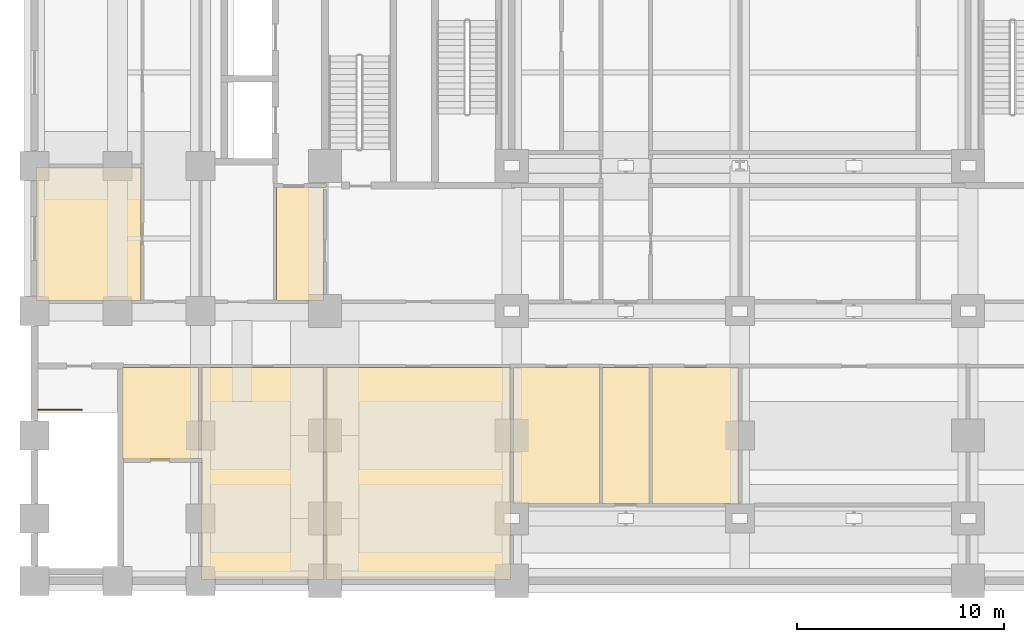
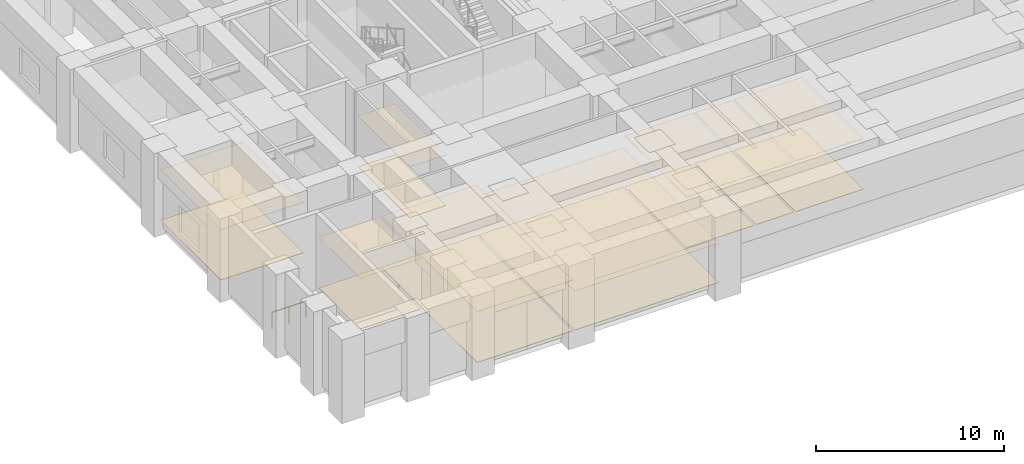
# One storey, part 16 of 22: 16 coverings, 1 railing.
"""IFC4 building model written with IfcOpenShell, lengths in metres."""

from ifc_helpers import new_model, si_unit, direction, frame, origin, origin_2d, place, context, subcontext, project, spatial, polyline, rectangle, outline, extrude, material, layer, layer_set, type_object, element, save


model = new_model("IFC4")

# Units and contexts
model_context = context("Model", 3, precision=1e-05, world=origin(), true_north=direction((0.0, 1.0)))
body_context = subcontext(model_context, "Body", "Model", "MODEL_VIEW")
ifc_project = project(units=[si_unit("LENGTHUNIT", "METRE"), si_unit("AREAUNIT", "SQUARE_METRE"), si_unit("VOLUMEUNIT", "CUBIC_METRE"), si_unit("PLANEANGLEUNIT", "RADIAN"), si_unit("MASSUNIT", "GRAM", prefix="KILO")], contexts=[model_context])

# Site, building, storey
site_placement = place(None, origin())
site = spatial("IfcSite", under=ifc_project, at=site_placement, CompositionType="ELEMENT")
building_placement = place(site_placement, origin())
building = spatial("IfcBuilding", under=site, at=building_placement, Name="Zulmaris Gate Convention Tower", CompositionType="ELEMENT")
storey_placement = place(building_placement, frame((0.0, 0.0, 21.760009765625)))
storey = spatial("IfcBuildingStorey", under=building, at=storey_placement, Name="L04", CompositionType="ELEMENT", Elevation=21.760009765625)

# Coverings
ifc_material_1 = material(Name="Mineral Fibre Acoustic Ceiling Tile")
ifc_layer_1 = layer(ifc_material_1, 0.02001953125, Name="Mineral Fibre Acoustic Ceiling Tile")
ifc_layer_set_1 = layer_set([ifc_layer_1], Name="Mineral Fibre Acoustic Ceiling Tile")
covering_type_1 = type_object("IfcCoveringType", Name="CLG-ACOUSTIC-600", PredefinedType="CEILING", material=ifc_layer_set_1)
covering_1_placement = place(storey_placement, frame((0.0, 0.0, 3.300048828125)))
element("IfcCovering", 1, at=covering_1_placement, inside=storey, type_object=covering_type_1, Name="CLG-L04-R46", PredefinedType="CEILING", context=body_context, shape_type="SweptSolid", body=[
    extrude(outline(polyline([(-22.340087890625, -15.489990234375), (-20.06005859375, -15.489990234375), (-20.06005859375, -10.010009765625), (-22.340087890625, -10.010009765625), (-22.340087890625, -15.489990234375)])), origin(), (0.0, 0.0, 1.0), 0.02001953125),
])
covering_2_placement = place(storey_placement, frame((0.0, 0.0, 3.300048828125)))
element("IfcCovering", 2, at=covering_2_placement, inside=storey, type_object=covering_type_1, Name="CLG-L04-R69", PredefinedType="CEILING", context=body_context, shape_type="SweptSolid", body=[
    extrude(outline(polyline([(-33.93994140625, -15.489990234375), (-28.860107421875, -15.489990234375), (-28.860107421875, -9.06005859375), (-33.93994140625, -9.06005859375), (-33.93994140625, -15.489990234375)])), origin(), (0.0, 0.0, 1.0), 0.02001953125),
])
covering_3_placement = place(storey_placement, frame((0.0, 0.0, 3.300048828125)))
element("IfcCovering", 3, at=covering_3_placement, inside=storey, type_object=covering_type_1, Name="CLG-L04-R81", PredefinedType="CEILING", context=body_context, shape_type="SweptSolid", body=[
    extrude(outline(polyline([(-29.7900390625, -23.139892578125), (-26.06005859375, -23.139892578125), (-26.06005859375, -18.7099609375), (-29.7900390625, -18.7099609375), (-29.7900390625, -23.139892578125)])), origin(), (0.0, 0.0, 1.0), 0.02001953125),
])
covering_4_placement = place(storey_placement, frame((0.0, 0.0, 3.300048828125)))
element("IfcCovering", 4, at=covering_4_placement, inside=storey, type_object=covering_type_1, Name="CLG-L04-R82", PredefinedType="CEILING", context=body_context, shape_type="SweptSolid", body=[
    extrude(outline(polyline([(-25.93994140625, -28.93994140625), (-20.06005859375, -28.93994140625), (-20.06005859375, -18.7099609375), (-25.93994140625, -18.7099609375), (-25.93994140625, -28.93994140625)])), origin(), (0.0, 0.0, 1.0), 0.02001953125),
])
covering_5_placement = place(storey_placement, frame((0.0, 0.0, 2.550048828125)))
element("IfcCovering", 5, at=covering_5_placement, inside=storey, type_object=covering_type_1, Name="CLG-L04-R83", PredefinedType="CEILING", context=body_context, shape_type="SweptSolid", body=[
    extrude(outline(polyline([(-19.93994140625, -28.93994140625), (-11.06005859375, -28.93994140625), (-11.06005859375, -18.7099609375), (-19.93994140625, -18.7099609375), (-19.93994140625, -28.93994140625)])), origin(), (0.0, 0.0, 1.0), 0.02001953125),
])
covering_6_placement = place(storey_placement, frame((0.0, 0.0, 3.300048828125)))
element("IfcCovering", 6, at=covering_6_placement, inside=storey, type_object=covering_type_1, Name="CLG-L04-R87", PredefinedType="CEILING", context=body_context, shape_type="SweptSolid", body=[
    extrude(outline(polyline([(-6.639892578125, -25.2900390625), (-4.360107421875, -25.2900390625), (-4.360107421875, -18.7099609375), (-6.639892578125, -18.7099609375), (-6.639892578125, -25.2900390625)])), origin(), (0.0, 0.0, 1.0), 0.02001953125),
])
covering_7_placement = place(storey_placement, frame((0.0, 0.0, 3.300048828125)))
element("IfcCovering", 7, at=covering_7_placement, inside=storey, type_object=covering_type_1, Name="CLG-L04-R89", PredefinedType="CEILING", context=body_context, shape_type="SweptSolid", body=[
    extrude(outline(polyline([(-10.93994140625, -25.2900390625), (-6.760009765625, -25.2900390625), (-6.760009765625, -18.7099609375), (-10.93994140625, -18.7099609375), (-10.93994140625, -25.2900390625)])), origin(), (0.0, 0.0, 1.0), 0.02001953125),
])
covering_8_placement = place(storey_placement, frame((0.0, 0.0, 3.300048828125)))
element("IfcCovering", 8, at=covering_8_placement, inside=storey, type_object=covering_type_1, Name="CLG-L04-R90", PredefinedType="CEILING", context=body_context, shape_type="SweptSolid", body=[
    extrude(outline(polyline([(-4.239990234375, -25.2900390625), (-0.06005859375, -25.2900390625), (-0.06005859375, -18.7099609375), (-4.239990234375, -18.7099609375), (-4.239990234375, -25.2900390625)])), origin(), (0.0, 0.0, 1.0), 0.02001953125),
])
ifc_material_2 = material(Name="Woven Acoustic Wool Carpet Tile")
ifc_layer_2 = layer(ifc_material_2, 0.02001953125, Name="Woven Acoustic Wool Carpet Tile")
ifc_layer_set_2 = layer_set([ifc_layer_2], Name="Woven Acoustic Wool Carpet Tile")
covering_type_2 = type_object("IfcCoveringType", Name="FLR-CARPET-12", PredefinedType="FLOORING", material=ifc_layer_set_2)
covering_9_placement = place(storey_placement, origin())
element("IfcCovering", 9, at=covering_9_placement, inside=storey, type_object=covering_type_2, Name="FLR-L04-R46", PredefinedType="FLOORING", context=body_context, shape_type="SweptSolid", body=[
    extrude(outline(polyline([(-22.340087890625, -15.489990234375), (-20.06005859375, -15.489990234375), (-20.06005859375, -10.010009765625), (-22.340087890625, -10.010009765625), (-22.340087890625, -15.489990234375)])), origin(), (0.0, 0.0, 1.0), 0.02001953125),
])
covering_10_placement = place(storey_placement, origin())
element("IfcCovering", 10, at=covering_10_placement, inside=storey, type_object=covering_type_2, Name="FLR-L04-R81", PredefinedType="FLOORING", context=body_context, shape_type="SweptSolid", body=[
    extrude(outline(polyline([(-29.7900390625, -23.139892578125), (-26.06005859375, -23.139892578125), (-26.06005859375, -18.7099609375), (-29.7900390625, -18.7099609375), (-29.7900390625, -23.139892578125)])), origin(), (0.0, 0.0, 1.0), 0.02001953125),
])
covering_11_placement = place(storey_placement, origin())
element("IfcCovering", 11, at=covering_11_placement, inside=storey, type_object=covering_type_2, Name="FLR-L04-R87", PredefinedType="FLOORING", context=body_context, shape_type="SweptSolid", body=[
    extrude(outline(polyline([(-6.639892578125, -25.2900390625), (-4.360107421875, -25.2900390625), (-4.360107421875, -18.7099609375), (-6.639892578125, -18.7099609375), (-6.639892578125, -25.2900390625)])), origin(), (0.0, 0.0, 1.0), 0.02001953125),
])
ifc_material_3 = material(Name="Polished Granite Terrazzo Tile", Category="masonry")
ifc_layer_3 = layer(ifc_material_3, 0.02001953125, Name="Polished Granite Terrazzo Tile")
ifc_layer_set_3 = layer_set([ifc_layer_3], Name="Polished Granite Terrazzo Tile")
covering_type_3 = type_object("IfcCoveringType", Name="FLR-TERRAZZO-30", PredefinedType="FLOORING", material=ifc_layer_set_3)
covering_12_placement = place(storey_placement, origin())
element("IfcCovering", 12, at=covering_12_placement, inside=storey, type_object=covering_type_3, Name="FLR-L04-R83", PredefinedType="FLOORING", context=body_context, shape_type="SweptSolid", body=[
    extrude(outline(polyline([(-19.93994140625, -28.93994140625), (-11.06005859375, -28.93994140625), (-11.06005859375, -18.7099609375), (-19.93994140625, -18.7099609375), (-19.93994140625, -28.93994140625)])), origin(), (0.0, 0.0, 1.0), 0.02001953125),
])
ifc_material_4 = material(Name="Engineered Teak Parquet Flooring")
ifc_layer_4 = layer(ifc_material_4, 0.02001953125, Name="Engineered Teak Parquet Flooring")
ifc_layer_set_4 = layer_set([ifc_layer_4], Name="Engineered Teak Parquet Flooring")
covering_type_4 = type_object("IfcCoveringType", Name="FLR-TIMBER-18", PredefinedType="FLOORING", material=ifc_layer_set_4)
covering_13_placement = place(storey_placement, origin())
element("IfcCovering", 13, at=covering_13_placement, inside=storey, type_object=covering_type_4, Name="FLR-L04-R69", PredefinedType="FLOORING", context=body_context, shape_type="SweptSolid", body=[
    extrude(outline(polyline([(-33.93994140625, -15.489990234375), (-28.860107421875, -15.489990234375), (-28.860107421875, -9.06005859375), (-33.93994140625, -9.06005859375), (-33.93994140625, -15.489990234375)])), origin(), (0.0, 0.0, 1.0), 0.02001953125),
])
covering_14_placement = place(storey_placement, origin())
element("IfcCovering", 14, at=covering_14_placement, inside=storey, type_object=covering_type_4, Name="FLR-L04-R82", PredefinedType="FLOORING", context=body_context, shape_type="SweptSolid", body=[
    extrude(outline(polyline([(-25.93994140625, -28.93994140625), (-20.06005859375, -28.93994140625), (-20.06005859375, -18.7099609375), (-25.93994140625, -18.7099609375), (-25.93994140625, -28.93994140625)])), origin(), (0.0, 0.0, 1.0), 0.02001953125),
])
covering_15_placement = place(storey_placement, origin())
element("IfcCovering", 15, at=covering_15_placement, inside=storey, type_object=covering_type_4, Name="FLR-L04-R89", PredefinedType="FLOORING", context=body_context, shape_type="SweptSolid", body=[
    extrude(outline(polyline([(-10.93994140625, -25.2900390625), (-6.760009765625, -25.2900390625), (-6.760009765625, -18.7099609375), (-10.93994140625, -18.7099609375), (-10.93994140625, -25.2900390625)])), origin(), (0.0, 0.0, 1.0), 0.02001953125),
])
covering_16_placement = place(storey_placement, origin())
element("IfcCovering", 16, at=covering_16_placement, inside=storey, type_object=covering_type_4, Name="FLR-L04-R90", PredefinedType="FLOORING", context=body_context, shape_type="SweptSolid", body=[
    extrude(outline(polyline([(-4.239990234375, -25.2900390625), (-0.06005859375, -25.2900390625), (-0.06005859375, -18.7099609375), (-4.239990234375, -18.7099609375), (-4.239990234375, -25.2900390625)])), origin(), (0.0, 0.0, 1.0), 0.02001953125),
])

# Railing
ifc_material_5 = material(Name="Painted Galvanised Steel", Category="steel")
railing_type = type_object("IfcRailingType", Name="RL-STG-1150", PredefinedType="GUARDRAIL", material=ifc_material_5)
railing_placement = place(storey_placement, frame((-33.830078125, -20.75, 0.0)))
element("IfcRailing", 17, at=railing_placement, inside=storey, type_object=railing_type, Name="L04 ST-4 top well guard 1", PredefinedType="GUARDRAIL", context=body_context, shape_type="SweptSolid", body=[
    extrude(rectangle(XDim=0.048095703125, YDim=0.048095703125, at=origin_2d()), frame((0.0, 0.0, 1.076171875), z_axis=(1.0, 0.0, 0.0), x_axis=(0.0, 1.0, 0.0)), (0.0, 0.0, 1.0), 2.10009765625),
    extrude(rectangle(XDim=0.0419921875, YDim=0.0419921875, at=origin_2d()), origin(), (0.0, 0.0, 1.0), 1.052001953125),
    extrude(rectangle(XDim=0.0419921875, YDim=0.0419921875, at=origin_2d()), frame((1.050048828125, 0.0, 0.0)), (0.0, 0.0, 1.0), 1.052001953125),
    extrude(rectangle(XDim=0.0419921875, YDim=0.0419921875, at=origin_2d()), frame((2.10009765625, 0.0, 0.0)), (0.0, 0.0, 1.0), 1.052001953125),
])

save(model, "model.ifc")
